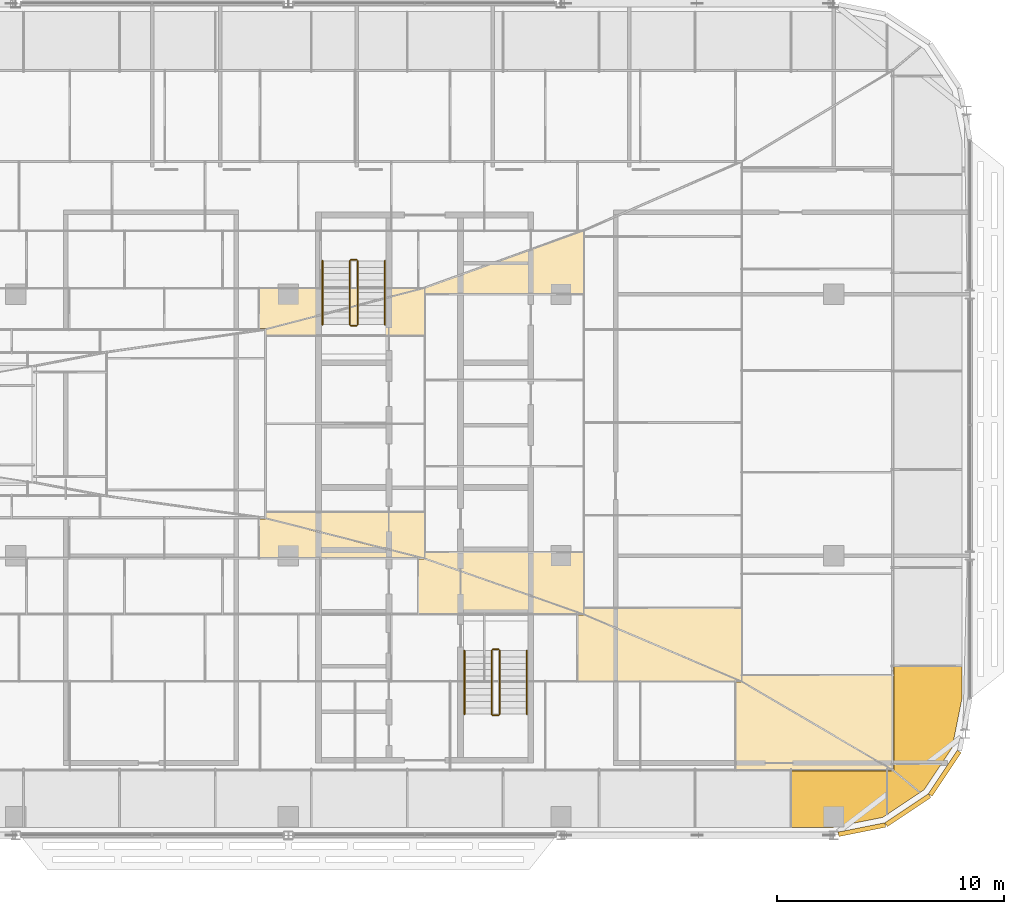
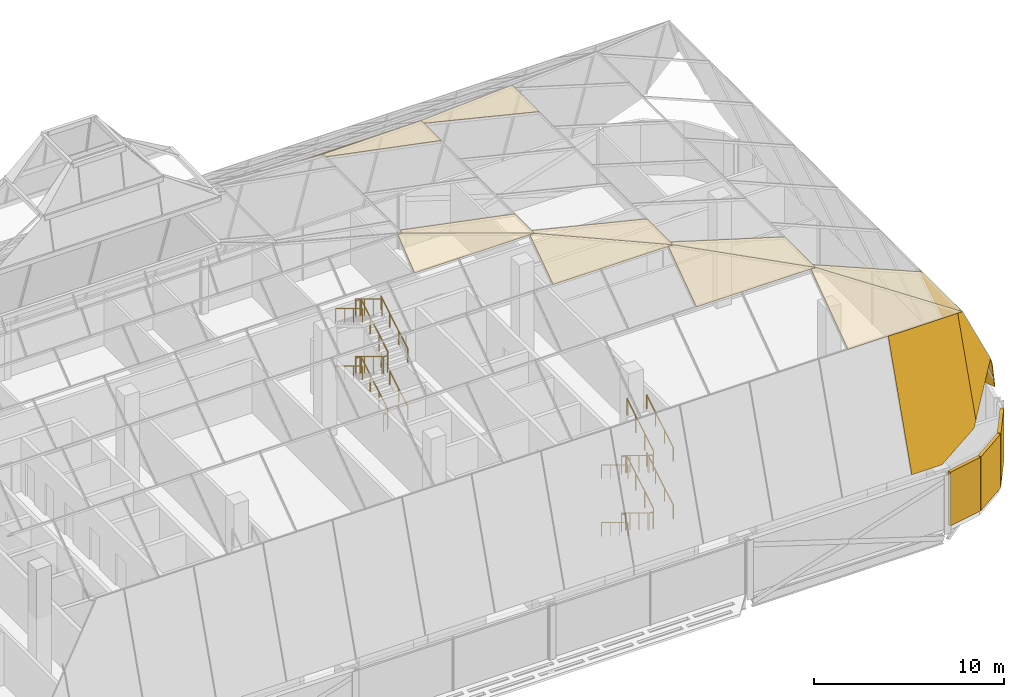
# One storey, part 38 of 39: 24 railings, 18 coverings.
"""IFC4 building model written with IfcOpenShell, lengths in metres."""

from ifc_helpers import new_model, si_unit, direction, frame, origin, origin_2d, place, context, subcontext, project, spatial, polyline, rectangle, circle, outline, extrude, material, layer, layer_set, type_object, element, save


model = new_model("IFC4")

# Units and contexts
model_context = context("Model", 3, precision=1e-05, world=origin(), true_north=direction((0.0, 1.0)))
body_context = subcontext(model_context, "Body", "Model", "MODEL_VIEW")
ifc_project = project(units=[si_unit("LENGTHUNIT", "METRE"), si_unit("AREAUNIT", "SQUARE_METRE"), si_unit("VOLUMEUNIT", "CUBIC_METRE"), si_unit("PLANEANGLEUNIT", "RADIAN"), si_unit("MASSUNIT", "GRAM", prefix="KILO")], contexts=[model_context])

# Site, building, storey
site_placement = place(None, origin())
site = spatial("IfcSite", under=ifc_project, at=site_placement, CompositionType="ELEMENT")
building_placement = place(site_placement, origin())
building = spatial("IfcBuilding", under=site, at=building_placement, Name="Mahtab Terrace Research Tower", CompositionType="ELEMENT")
storey_placement = place(building_placement, frame((0.0, 0.0, 282.300048828125)))
storey = spatial("IfcBuildingStorey", under=building, at=storey_placement, Name="L69", CompositionType="ELEMENT", Elevation=282.300048828125)

# Coverings
ifc_material_1 = material(Name="Black aluminium cladding panel", Category="aluminium")
ifc_layer_1 = layer(ifc_material_1, 0.199951171875)
ifc_layer_set_1 = layer_set([ifc_layer_1], Name="Black metal corner cladding 200")
covering_type_1 = type_object("IfcCoveringType", Name="Black metal corner cladding 200", PredefinedType="CLADDING", material=ifc_layer_set_1)
covering_1_placement = place(storey_placement, frame((43.24658203125, -12.058837890625, 0.0), z_axis=(0.0, 0.0, 1.0), x_axis=(0.980760981187, 0.195212442692, 0.0)))
element("IfcCovering", 1, at=covering_1_placement, inside=storey, type_object=covering_type_1, Name="Corner cladding L69 30", PredefinedType="CLADDING", context=body_context, shape_type="SweptSolid", body=[
    extrude(rectangle(XDim=2.10009765625, YDim=0.199951171875, at=origin_2d()), origin(), (0.0, 0.0, 1.0), 3.4599609375),
])
for number, where, z_axis, x_axis, name in (
    (2, (45.26953125, -11.199951171875, 0.0), (0.0, 0.0, 1.0), (0.831655794326, 0.555291490808, 0.0), "Corner cladding L69 31"),
    (3, (46.89306640625, -9.576416015625, 0.0), (0.0, 0.0, 1.0), (0.555291490808, 0.831655794326, 0.0), "Corner cladding L69 32"),
):
    element("IfcCovering", number, at=place(storey_placement, frame(where, z_axis=z_axis, x_axis=x_axis)), inside=storey, type_object=covering_type_1, Name=name, PredefinedType="CLADDING", context=body_context, shape_type="SweptSolid", body=[
        extrude(rectangle(XDim=2.30126953125, YDim=0.199951171875, at=origin_2d()), origin(), (0.0, 0.0, 1.0), 3.4599609375),
    ])
ifc_material_2 = material(Name="Turquoise ceramic tile cladding", Category="ceramic")
ifc_layer_2 = layer(ifc_material_2, 0.0400390625)
ifc_layer_set_2 = layer_set([ifc_layer_2], Name="Crown hip cladding panel")
covering_type_2 = type_object("IfcCoveringType", Name="Crown hip cladding panel", PredefinedType="CLADDING", material=ifc_layer_set_2)
covering_2_placement = place(storey_placement, frame((44.34814453125, -11.394287109375, 5.479248046875), z_axis=(2.2655272e-05, -0.948208049085, 0.317649956929), x_axis=(-0.429955268716, -0.286799560517, -0.856086723989)))
element("IfcCovering", 4, at=covering_2_placement, inside=storey, type_object=covering_type_2, Name="CWC-S1 hip cladding 22", PredefinedType="CLADDING", context=body_context, shape_type="SweptSolid", body=[
    extrude(outline(polyline([(0.0, 0.0), (0.4389310215243314, 0.0), (2.6233327495091876, -1.3896575962807538), (3.4149081111761967, -3.0518629884096837), (-3.6310272749570216, -6.4072779549376095), (-5.447000455813574, -2.5939702657941943), (0.0, 0.0)])), origin(), (0.0, 0.0, -1.0), 0.0400390625),
])
covering_3_placement = place(storey_placement, frame((45.797119140625, -10.427001953125, 8.367431640625), z_axis=(-9.9487165e-05, -0.948215328167, 0.317628212744), x_axis=(-0.429587108488, -0.286785827346, -0.856276126874)))
element("IfcCovering", 5, at=covering_3_placement, inside=storey, type_object=covering_type_2, Name="CWC-S1 hip cladding 23", PredefinedType="CLADDING", context=body_context, shape_type="SweptSolid", body=[
    extrude(outline(polyline([(0.0, 0.0), (3.372947147885963, -2.220446049250313e-16), (-2.0751105092804956, -2.591749119231688), (-2.2039027380946976, -2.3210178658559286), (0.0, 0.0)])), origin(), (0.0, 0.0, -1.0), 0.0400390625),
])
covering_4_placement = place(storey_placement, frame((37.97705078125, -5.564697265625, 14.0), z_axis=(0.0, -0.581900322077, 0.813260115318), x_axis=(0.811023389188, -0.475768332063, -0.340419676863)))
element("IfcCovering", 6, at=covering_4_placement, inside=storey, type_object=covering_type_2, Name="CWC-S2 hip cladding 20", PredefinedType="CLADDING", context=body_context, shape_type="SweptSolid", body=[
    extrude(outline(polyline([(0.0, 0.0), (8.225284901064642, 2.220446049250313e-16), (2.5716836238452143, -4.078099848991874), (-0.24334661750788622, -0.17553268358529797), (0.0, 0.0)])), origin(), (0.0, 0.0, -1.0), 0.0400390625),
])
covering_5_placement = place(storey_placement, frame((31.020263671875, -2.607666015625, 16.099853515625), z_axis=(0.0, -0.578988154945, 0.81533595311), x_axis=(0.886734502373, -0.376912731803, -0.267654095628)))
element("IfcCovering", 7, at=covering_5_placement, inside=storey, type_object=covering_type_2, Name="CWC-S3 hip cladding 17", PredefinedType="CLADDING", context=body_context, shape_type="SweptSolid", body=[
    extrude(outline(polyline([(0.0, 0.0), (7.845400275685455, -2.220446049250313e-16), (1.410513471845682, -3.3546832407189004), (-0.26606364829494955, -0.13870628794386786), (0.0, 0.0)])), origin(), (0.0, 0.0, -1.0), 0.0400390625),
])
covering_6_placement = place(storey_placement, frame((24.015625, -0.146484375, 17.800048828125), z_axis=(0.0, -0.568373610544, 0.822770587003), x_axis=(0.919650725273, -0.323132653497, -0.22322148586)))
element("IfcCovering", 8, at=covering_6_placement, inside=storey, type_object=covering_type_2, Name="CWC-S4 hip cladding 13", PredefinedType="CLADDING", context=body_context, shape_type="SweptSolid", body=[
    extrude(outline(polyline([(0.0, 0.0), (7.616629313044144, 2.220446049250313e-16), (0.8988681557780978, -2.86882284335994), (-0.27594012240240545, -0.11784035008320075), (0.0, 0.0)])), origin(), (0.0, 0.0, -1.0), 0.0400390625),
])
covering_7_placement = place(storey_placement, frame((17.010986328125, 1.624267578125, 19.199951171875), z_axis=(0.0, -0.620173675122, 0.784464538832), x_axis=(0.951799340201, -0.240612060035, -0.190220536639)))
element("IfcCovering", 9, at=covering_7_placement, inside=storey, type_object=covering_type_2, Name="CWC-S5 hip cladding 10", PredefinedType="CLADDING", context=body_context, shape_type="SweptSolid", body=[
    extrude(outline(polyline([(0.0, 0.0), (7.359364916557646, 0.0), (0.4067681736860843, -2.2405039619844507), (-0.2855862766373379, -0.09203139603204846), (0.0, 0.0)])), origin(), (0.0, 0.0, -1.0), 0.0400390625),
])
covering_8_placement = place(storey_placement, frame((44.64794921875, -9.177978515625, 11.199951171875), z_axis=(0.926652215436, -5.0140299e-05, 0.375919764195), x_axis=(0.375919764668, 1.289e-09, -0.926652216601)))
element("IfcCovering", 10, at=covering_8_placement, inside=storey, type_object=covering_type_2, Name="CWC-E1 hip cladding 1", PredefinedType="CLADDING", context=body_context, shape_type="SweptSolid", body=[
    extrude(outline(polyline([(0.0, 0.0), (5.560227881894428, 4.0657581468206416e-20), (3.5715039619734754, -1.1196289132146209), (3.0567561871836557, -1.2490234358202976), (-3.8681331346103317e-10, -0.3000488277478312), (0.0, 0.0)])), origin(), (0.0, 0.0, -1.0), 0.0400390625),
])
covering_9_placement = place(storey_placement, frame((47.64990234375, -4.851318359375, 3.800048828125), z_axis=(0.926649360142, 2.0780954e-05, 0.375926805264), x_axis=(1.9256658e-05, -0.999999999784, 7.812118e-06)))
element("IfcCovering", 11, at=covering_9_placement, inside=storey, type_object=covering_type_2, Name="CWC-E1 hip cladding 2", PredefinedType="CLADDING", context=body_context, shape_type="SweptSolid", body=[
    extrude(outline(polyline([(0.0, 0.0), (1.4211425778181412, 0.0), (3.6152343773255105, -1.1615610736588855), (4.326660158732546, -2.4254015386892034), (4.326660156639619, -7.985629421509346), (1.3238485112627312e-09, -7.985629421509346), (0.0, 0.0)])), origin(), (0.0, 0.0, -1.0), 0.0400390625),
])
covering_10_placement = place(storey_placement, frame((37.97705078125, -5.564697265625, 14.0), z_axis=(0.387029381179, 0.0, 0.922067382627), x_axis=(0.0, 1.0, 0.0)))
element("IfcCovering", 12, at=covering_10_placement, inside=storey, type_object=covering_type_2, Name="CWC-E2 hip cladding 1", PredefinedType="CLADDING", context=body_context, shape_type="SweptSolid", body=[
    extrude(outline(polyline([(0.0, 0.0), (0.2998046875, 0.0), (0.2998046875, -7.2347190272549025), (-3.913330078125, -7.2347190272549025), (0.0, 0.0)])), origin(), (0.0, 0.0, -1.0), 0.0400390625),
])
covering_11_placement = place(storey_placement, frame((31.020263671875, -2.607666015625, 16.099853515625), z_axis=(0.288965667694, 0.0, 0.957339460638), x_axis=(0.0, 1.0, 0.0)))
element("IfcCovering", 13, at=covering_11_placement, inside=storey, type_object=covering_type_2, Name="CWC-E3 hip cladding 1", PredefinedType="CLADDING", context=body_context, shape_type="SweptSolid", body=[
    extrude(outline(polyline([(0.0, 0.0), (0.300048828125, 0.0), (0.300048828125, -7.266792392262824), (-2.95703125, -7.266792392262824), (0.0, 0.0)])), origin(), (0.0, 0.0, -1.0), 0.0400390625),
])
covering_12_placement = place(storey_placement, frame((24.015625, -0.146484375, 17.800048828125), z_axis=(0.235875329175, 0.0, 0.971783324145), x_axis=(0.0, 1.0, 0.0)))
element("IfcCovering", 14, at=covering_12_placement, inside=storey, type_object=covering_type_2, Name="CWC-E4 hip cladding 1", PredefinedType="CLADDING", context=body_context, shape_type="SweptSolid", body=[
    extrude(outline(polyline([(0.0, 0.0), (0.300048828125, 0.0), (0.300048828125, -7.208025181988041), (-2.461181640625, -7.208025181988041), (0.0, 0.0)])), origin(), (0.0, 0.0, -1.0), 0.0400390625),
])
covering_13_placement = place(storey_placement, frame((24.015625, 11.81298828125, 17.800048828125), z_axis=(0.235875329175, 0.0, 0.971783324145), x_axis=(0.916909927481, 0.331277693642, -0.22255622791)))
element("IfcCovering", 15, at=covering_13_placement, inside=storey, type_object=covering_type_2, Name="CWC-E4 hip cladding 5", PredefinedType="CLADDING", context=body_context, shape_type="SweptSolid", body=[
    extrude(outline(polyline([(0.0, 0.0), (7.63939669746664, 2.7755575615628914e-17), (6.701612308361574, -2.6709640191978585), (-0.09939948376111468, -0.2831060611982896), (0.0, 0.0)])), origin(), (0.0, 0.0, -1.0), 0.0400390625),
])
covering_14_placement = place(storey_placement, frame((17.010986328125, 1.624267578125, 19.199951171875), z_axis=(0.195978105633, 0.0, 0.980608271489), x_axis=(0.0, 1.0, 0.0)))
element("IfcCovering", 16, at=covering_14_placement, inside=storey, type_object=covering_type_2, Name="CWC-E5 hip cladding 1", PredefinedType="CLADDING", context=body_context, shape_type="SweptSolid", body=[
    extrude(outline(polyline([(0.0, 0.0), (0.300048828125, 0.0), (0.300048828125, -7.143156829831156), (-1.770751953125, -7.143156829831156), (0.0, 0.0)])), origin(), (0.0, 0.0, -1.0), 0.0400390625),
])
covering_15_placement = place(storey_placement, frame((17.010986328125, 9.9921875, 19.199951171875), z_axis=(0.195978105633, 0.0, 0.980608271489), x_axis=(0.950223792737, 0.247003208192, -0.189905657787)))
element("IfcCovering", 17, at=covering_15_placement, inside=storey, type_object=covering_type_2, Name="CWC-E5 hip cladding 4", PredefinedType="CLADDING", context=body_context, shape_type="SweptSolid", body=[
    extrude(outline(polyline([(0.0, 0.0), (7.371567335415455, 4.163336342344337e-16), (6.84771067780736, -2.055134367350652), (-0.0741130231610855, -0.29075171376470027), (0.0, 0.0)])), origin(), (0.0, 0.0, -1.0), 0.0400390625),
])
covering_16_placement = place(storey_placement, frame((24.015625, 11.81298828125, 17.800048828125), z_axis=(0.0, 0.609515532495, 0.7927741265), x_axis=(-0.950223792737, -0.247003208192, 0.189905657787)))
element("IfcCovering", 18, at=covering_16_placement, inside=storey, type_object=covering_type_2, Name="CWC-N5 hip cladding 10", PredefinedType="CLADDING", context=body_context, shape_type="SweptSolid", body=[
    extrude(outline(polyline([(0.0, 0.0), (7.371567335415455, 4.440892098500626e-16), (7.656680870882699, -0.09348567351500714), (6.941087861008897, -2.275908341390574), (0.0, 0.0)])), origin(), (0.0, 0.0, -1.0), 0.0400390625),
])

# Railings
ifc_material_3 = material(Name="Stainless steel AISI 304", Category="steel")
railing_type_1 = type_object("IfcRailingType", Name="Stair guard 1100", PredefinedType="GUARDRAIL", material=ifc_material_3)
railing_1_placement = place(storey_placement, frame((21.050048828125, 10.175048828125, 0.168212890625)))
element("IfcRailing", 19, at=railing_1_placement, inside=storey, type_object=railing_type_1, Name="L69 ST3 stair guard 1", PredefinedType="GUARDRAIL", context=body_context, shape_type="SweptSolid", body=[
    extrude(circle(Radius=0.02392578125, at=origin_2d()), frame((0.0, 0.0, 1.076171875), z_axis=(0.0, 0.857275202839, 0.514858452973), x_axis=(-1.0, 0.0, 0.0)), (0.0, 0.0, 1.0), 3.26611328125),
    extrude(circle(Radius=0.02099609375, at=origin_2d()), origin(), (0.0, 0.0, 1.0), 1.052001953125),
    extrude(circle(Radius=0.02099609375, at=origin_2d()), frame((0.0, 0.933349609375, 0.560546875)), (0.0, 0.0, 1.0), 1.052001953125),
    extrude(circle(Radius=0.02099609375, at=origin_2d()), frame((0.0, 1.86669921875, 1.12109375)), (0.0, 0.0, 1.0), 1.052001953125),
    extrude(circle(Radius=0.02099609375, at=origin_2d()), frame((0.0, 2.800048828125, 1.681640625)), (0.0, 0.0, 1.0), 1.052001953125),
])
railing_2_placement = place(storey_placement, frame((21.0, 13.02490234375, 1.849853515625)))
element("IfcRailing", 20, at=railing_2_placement, inside=storey, type_object=railing_type_1, Name="L69 ST3 stair guard 2", PredefinedType="GUARDRAIL", context=body_context, shape_type="SweptSolid", body=[
    extrude(circle(Radius=0.02392578125, at=origin_2d()), frame((0.0, 0.0, 1.076171875), z_axis=(-1.0, 0.0, 0.0), x_axis=(0.0, -1.0, 0.0)), (0.0, 0.0, 1.0), 0.25),
    extrude(circle(Radius=0.02099609375, at=origin_2d()), origin(), (0.0, 0.0, 1.0), 1.052001953125),
    extrude(circle(Radius=0.02099609375, at=origin_2d()), frame((-0.25, 0.0, 0.0)), (0.0, 0.0, 1.0), 1.052001953125),
])
railing_3_placement = place(storey_placement, frame((20.699951171875, 12.97509765625, 2.01806640625)))
element("IfcRailing", 21, at=railing_3_placement, inside=storey, type_object=railing_type_1, Name="L69 ST3 stair guard 3", PredefinedType="GUARDRAIL", context=body_context, shape_type="SweptSolid", body=[
    extrude(circle(Radius=0.02392578125, at=origin_2d()), frame((0.0, 0.0, 1.076171875), z_axis=(0.0, -0.857242210791, 0.514913383045), x_axis=(1.0, 0.0, 0.0)), (0.0, 0.0, 1.0), 3.266357421875),
    extrude(circle(Radius=0.02099609375, at=origin_2d()), origin(), (0.0, 0.0, 1.0), 1.052001953125),
    extrude(circle(Radius=0.02099609375, at=origin_2d()), frame((0.0, -0.933349609375, 0.560546875)), (0.0, 0.0, 1.0), 1.052001953125),
    extrude(circle(Radius=0.02099609375, at=origin_2d()), frame((0.0, -1.86669921875, 1.121337890625)), (0.0, 0.0, 1.0), 1.052001953125),
    extrude(circle(Radius=0.02099609375, at=origin_2d()), frame((0.0, -2.800048828125, 1.681884765625)), (0.0, 0.0, 1.0), 1.052001953125),
])
railing_4_placement = place(storey_placement, frame((21.0, 10.125, 3.699951171875)))
element("IfcRailing", 22, at=railing_4_placement, inside=storey, type_object=railing_type_1, Name="L69 ST3 stair guard 4", PredefinedType="GUARDRAIL", context=body_context, shape_type="SweptSolid", body=[
    extrude(circle(Radius=0.02392578125, at=origin_2d()), frame((0.0, 0.0, 1.076171875), z_axis=(-1.0, 0.0, 0.0), x_axis=(0.0, -1.0, 0.0)), (0.0, 0.0, 1.0), 0.25),
    extrude(circle(Radius=0.02099609375, at=origin_2d()), origin(), (0.0, 0.0, 1.0), 1.052001953125),
    extrude(circle(Radius=0.02099609375, at=origin_2d()), frame((-0.25, 0.0, 0.0)), (0.0, 0.0, 1.0), 1.052001953125),
])
railing_5_placement = place(storey_placement, frame((21.050048828125, 10.175048828125, 3.8681640625)))
element("IfcRailing", 23, at=railing_5_placement, inside=storey, type_object=railing_type_1, Name="L69 ST3 stair guard 5", PredefinedType="GUARDRAIL", context=body_context, shape_type="SweptSolid", body=[
    extrude(circle(Radius=0.02392578125, at=origin_2d()), frame((0.0, 0.0, 1.076171875), z_axis=(0.0, 0.857242210791, 0.514913383045), x_axis=(-1.0, 0.0, 0.0)), (0.0, 0.0, 1.0), 3.266357421875),
    extrude(circle(Radius=0.02099609375, at=origin_2d()), origin(), (0.0, 0.0, 1.0), 1.052001953125),
    extrude(circle(Radius=0.02099609375, at=origin_2d()), frame((0.0, 0.933349609375, 0.560546875)), (0.0, 0.0, 1.0), 1.052001953125),
    extrude(circle(Radius=0.02099609375, at=origin_2d()), frame((0.0, 1.86669921875, 1.121337890625)), (0.0, 0.0, 1.0), 1.052001953125),
    extrude(circle(Radius=0.02099609375, at=origin_2d()), frame((0.0, 2.800048828125, 1.681884765625)), (0.0, 0.0, 1.0), 1.052001953125),
])
railing_6_placement = place(storey_placement, frame((21.0, 13.02490234375, 5.550048828125)))
element("IfcRailing", 24, at=railing_6_placement, inside=storey, type_object=railing_type_1, Name="L69 ST3 stair guard 6", PredefinedType="GUARDRAIL", context=body_context, shape_type="SweptSolid", body=[
    extrude(circle(Radius=0.02392578125, at=origin_2d()), frame((0.0, 0.0, 1.076171875), z_axis=(-1.0, 0.0, 0.0), x_axis=(0.0, -1.0, 0.0)), (0.0, 0.0, 1.0), 0.25),
    extrude(circle(Radius=0.02099609375, at=origin_2d()), origin(), (0.0, 0.0, 1.0), 1.052001953125),
    extrude(circle(Radius=0.02099609375, at=origin_2d()), frame((-0.25, 0.0, 0.0)), (0.0, 0.0, 1.0), 1.052001953125),
])
railing_7_placement = place(storey_placement, frame((20.699951171875, 12.97509765625, 5.718017578125)))
element("IfcRailing", 25, at=railing_7_placement, inside=storey, type_object=railing_type_1, Name="L69 ST3 stair guard 7", PredefinedType="GUARDRAIL", context=body_context, shape_type="SweptSolid", body=[
    extrude(circle(Radius=0.02392578125, at=origin_2d()), frame((0.0, 0.0, 1.076171875), z_axis=(0.0, -0.857242210791, 0.514913383045), x_axis=(1.0, 0.0, 0.0)), (0.0, 0.0, 1.0), 3.266357421875),
    extrude(circle(Radius=0.02099609375, at=origin_2d()), origin(), (0.0, 0.0, 1.0), 1.052001953125),
    extrude(circle(Radius=0.02099609375, at=origin_2d()), frame((0.0, -0.933349609375, 0.560546875)), (0.0, 0.0, 1.0), 1.052001953125),
    extrude(circle(Radius=0.02099609375, at=origin_2d()), frame((0.0, -1.86669921875, 1.121337890625)), (0.0, 0.0, 1.0), 1.052001953125),
    extrude(circle(Radius=0.02099609375, at=origin_2d()), frame((0.0, -2.800048828125, 1.681884765625)), (0.0, 0.0, 1.0), 1.052001953125),
])
railing_8_placement = place(storey_placement, frame((21.0, 10.125, 0.0)))
element("IfcRailing", 26, at=railing_8_placement, inside=storey, type_object=railing_type_1, Name="L69 ST3 stair guard 8", PredefinedType="GUARDRAIL", context=body_context, shape_type="SweptSolid", body=[
    extrude(circle(Radius=0.02392578125, at=origin_2d()), frame((0.0, 0.0, 1.076171875), z_axis=(-1.0, 0.0, 0.0), x_axis=(0.0, -1.0, 0.0)), (0.0, 0.0, 1.0), 0.25),
    extrude(circle(Radius=0.02099609375, at=origin_2d()), origin(), (0.0, 0.0, 1.0), 1.052001953125),
    extrude(circle(Radius=0.02099609375, at=origin_2d()), frame((-0.25, 0.0, 0.0)), (0.0, 0.0, 1.0), 1.052001953125),
])
railing_9_placement = place(storey_placement, frame((26.949951171875, -4.175048828125, 0.168212890625)))
element("IfcRailing", 27, at=railing_9_placement, inside=storey, type_object=railing_type_1, Name="L69 ST4 stair guard 1", PredefinedType="GUARDRAIL", context=body_context, shape_type="SweptSolid", body=[
    extrude(circle(Radius=0.02392578125, at=origin_2d()), frame((0.0, 0.0, 1.076171875), z_axis=(0.0, -0.857275202839, 0.514858452973), x_axis=(1.0, 0.0, 0.0)), (0.0, 0.0, 1.0), 3.26611328125),
    extrude(circle(Radius=0.02099609375, at=origin_2d()), origin(), (0.0, 0.0, 1.0), 1.052001953125),
    extrude(circle(Radius=0.02099609375, at=origin_2d()), frame((0.0, -0.933349609375, 0.560546875)), (0.0, 0.0, 1.0), 1.052001953125),
    extrude(circle(Radius=0.02099609375, at=origin_2d()), frame((0.0, -1.86669921875, 1.12109375)), (0.0, 0.0, 1.0), 1.052001953125),
    extrude(circle(Radius=0.02099609375, at=origin_2d()), frame((0.0, -2.800048828125, 1.681640625)), (0.0, 0.0, 1.0), 1.052001953125),
])
railing_10_placement = place(storey_placement, frame((27.0, -7.02490234375, 1.849853515625)))
element("IfcRailing", 28, at=railing_10_placement, inside=storey, type_object=railing_type_1, Name="L69 ST4 stair guard 2", PredefinedType="GUARDRAIL", context=body_context, shape_type="SweptSolid", body=[
    extrude(circle(Radius=0.02392578125, at=origin_2d()), frame((0.0, 0.0, 1.076171875), z_axis=(1.0, 0.0, 0.0), x_axis=(0.0, 1.0, 0.0)), (0.0, 0.0, 1.0), 0.25),
    extrude(circle(Radius=0.02099609375, at=origin_2d()), origin(), (0.0, 0.0, 1.0), 1.052001953125),
    extrude(circle(Radius=0.02099609375, at=origin_2d()), frame((0.25, 0.0, 0.0)), (0.0, 0.0, 1.0), 1.052001953125),
])
railing_11_placement = place(storey_placement, frame((27.300048828125, -6.97509765625, 2.01806640625)))
element("IfcRailing", 29, at=railing_11_placement, inside=storey, type_object=railing_type_1, Name="L69 ST4 stair guard 3", PredefinedType="GUARDRAIL", context=body_context, shape_type="SweptSolid", body=[
    extrude(circle(Radius=0.02392578125, at=origin_2d()), frame((0.0, 0.0, 1.076171875), z_axis=(0.0, 0.857242210791, 0.514913383045), x_axis=(-1.0, 0.0, 0.0)), (0.0, 0.0, 1.0), 3.266357421875),
    extrude(circle(Radius=0.02099609375, at=origin_2d()), origin(), (0.0, 0.0, 1.0), 1.052001953125),
    extrude(circle(Radius=0.02099609375, at=origin_2d()), frame((0.0, 0.933349609375, 0.560546875)), (0.0, 0.0, 1.0), 1.052001953125),
    extrude(circle(Radius=0.02099609375, at=origin_2d()), frame((0.0, 1.86669921875, 1.121337890625)), (0.0, 0.0, 1.0), 1.052001953125),
    extrude(circle(Radius=0.02099609375, at=origin_2d()), frame((0.0, 2.800048828125, 1.681884765625)), (0.0, 0.0, 1.0), 1.052001953125),
])
railing_12_placement = place(storey_placement, frame((27.0, -4.125, 3.699951171875)))
element("IfcRailing", 30, at=railing_12_placement, inside=storey, type_object=railing_type_1, Name="L69 ST4 stair guard 4", PredefinedType="GUARDRAIL", context=body_context, shape_type="SweptSolid", body=[
    extrude(circle(Radius=0.02392578125, at=origin_2d()), frame((0.0, 0.0, 1.076171875), z_axis=(1.0, 0.0, 0.0), x_axis=(0.0, 1.0, 0.0)), (0.0, 0.0, 1.0), 0.25),
    extrude(circle(Radius=0.02099609375, at=origin_2d()), origin(), (0.0, 0.0, 1.0), 1.052001953125),
    extrude(circle(Radius=0.02099609375, at=origin_2d()), frame((0.25, 0.0, 0.0)), (0.0, 0.0, 1.0), 1.052001953125),
])
railing_13_placement = place(storey_placement, frame((26.949951171875, -4.175048828125, 3.8681640625)))
element("IfcRailing", 31, at=railing_13_placement, inside=storey, type_object=railing_type_1, Name="L69 ST4 stair guard 5", PredefinedType="GUARDRAIL", context=body_context, shape_type="SweptSolid", body=[
    extrude(circle(Radius=0.02392578125, at=origin_2d()), frame((0.0, 0.0, 1.076171875), z_axis=(0.0, -0.857242210791, 0.514913383045), x_axis=(1.0, 0.0, 0.0)), (0.0, 0.0, 1.0), 3.266357421875),
    extrude(circle(Radius=0.02099609375, at=origin_2d()), origin(), (0.0, 0.0, 1.0), 1.052001953125),
    extrude(circle(Radius=0.02099609375, at=origin_2d()), frame((0.0, -0.933349609375, 0.560546875)), (0.0, 0.0, 1.0), 1.052001953125),
    extrude(circle(Radius=0.02099609375, at=origin_2d()), frame((0.0, -1.86669921875, 1.121337890625)), (0.0, 0.0, 1.0), 1.052001953125),
    extrude(circle(Radius=0.02099609375, at=origin_2d()), frame((0.0, -2.800048828125, 1.681884765625)), (0.0, 0.0, 1.0), 1.052001953125),
])
railing_14_placement = place(storey_placement, frame((27.0, -7.02490234375, 5.550048828125)))
element("IfcRailing", 32, at=railing_14_placement, inside=storey, type_object=railing_type_1, Name="L69 ST4 stair guard 6", PredefinedType="GUARDRAIL", context=body_context, shape_type="SweptSolid", body=[
    extrude(circle(Radius=0.02392578125, at=origin_2d()), frame((0.0, 0.0, 1.076171875), z_axis=(1.0, 0.0, 0.0), x_axis=(0.0, 1.0, 0.0)), (0.0, 0.0, 1.0), 0.25),
    extrude(circle(Radius=0.02099609375, at=origin_2d()), origin(), (0.0, 0.0, 1.0), 1.052001953125),
    extrude(circle(Radius=0.02099609375, at=origin_2d()), frame((0.25, 0.0, 0.0)), (0.0, 0.0, 1.0), 1.052001953125),
])
railing_15_placement = place(storey_placement, frame((27.300048828125, -6.97509765625, 5.718017578125)))
element("IfcRailing", 33, at=railing_15_placement, inside=storey, type_object=railing_type_1, Name="L69 ST4 stair guard 7", PredefinedType="GUARDRAIL", context=body_context, shape_type="SweptSolid", body=[
    extrude(circle(Radius=0.02392578125, at=origin_2d()), frame((0.0, 0.0, 1.076171875), z_axis=(0.0, 0.857242210791, 0.514913383045), x_axis=(-1.0, 0.0, 0.0)), (0.0, 0.0, 1.0), 3.266357421875),
    extrude(circle(Radius=0.02099609375, at=origin_2d()), origin(), (0.0, 0.0, 1.0), 1.052001953125),
    extrude(circle(Radius=0.02099609375, at=origin_2d()), frame((0.0, 0.933349609375, 0.560546875)), (0.0, 0.0, 1.0), 1.052001953125),
    extrude(circle(Radius=0.02099609375, at=origin_2d()), frame((0.0, 1.86669921875, 1.121337890625)), (0.0, 0.0, 1.0), 1.052001953125),
    extrude(circle(Radius=0.02099609375, at=origin_2d()), frame((0.0, 2.800048828125, 1.681884765625)), (0.0, 0.0, 1.0), 1.052001953125),
])
railing_16_placement = place(storey_placement, frame((27.0, -4.125, 0.0)))
element("IfcRailing", 34, at=railing_16_placement, inside=storey, type_object=railing_type_1, Name="L69 ST4 stair guard 8", PredefinedType="GUARDRAIL", context=body_context, shape_type="SweptSolid", body=[
    extrude(circle(Radius=0.02392578125, at=origin_2d()), frame((0.0, 0.0, 1.076171875), z_axis=(1.0, 0.0, 0.0), x_axis=(0.0, 1.0, 0.0)), (0.0, 0.0, 1.0), 0.25),
    extrude(circle(Radius=0.02099609375, at=origin_2d()), origin(), (0.0, 0.0, 1.0), 1.052001953125),
    extrude(circle(Radius=0.02099609375, at=origin_2d()), frame((0.25, 0.0, 0.0)), (0.0, 0.0, 1.0), 1.052001953125),
])
railing_type_2 = type_object("IfcRailingType", Name="Stair handrail 900", PredefinedType="HANDRAIL", material=ifc_material_3)
railing_17_placement = place(storey_placement, frame((22.25, 10.175048828125, 0.168212890625)))
element("IfcRailing", 35, at=railing_17_placement, inside=storey, type_object=railing_type_2, Name="L69 ST3 stair handrail 1", PredefinedType="HANDRAIL", context=body_context, shape_type="SweptSolid", body=[
    extrude(circle(Radius=0.02392578125, at=origin_2d()), frame((0.0, 0.0, 0.8759765625), z_axis=(0.0, 0.857275202839, 0.514858452973), x_axis=(-1.0, 0.0, 0.0)), (0.0, 0.0, 1.0), 3.26611328125),
    extrude(circle(Radius=0.02099609375, at=origin_2d()), origin(), (0.0, 0.0, 1.0), 0.851806640625),
    extrude(circle(Radius=0.02099609375, at=origin_2d()), frame((0.0, 0.933349609375, 0.560546875)), (0.0, 0.0, 1.0), 0.851806640625),
    extrude(circle(Radius=0.02099609375, at=origin_2d()), frame((0.0, 1.86669921875, 1.12109375)), (0.0, 0.0, 1.0), 0.851806640625),
    extrude(circle(Radius=0.02099609375, at=origin_2d()), frame((0.0, 2.800048828125, 1.681640625)), (0.0, 0.0, 1.0), 0.851806640625),
])
railing_18_placement = place(storey_placement, frame((19.5, 12.97509765625, 2.01806640625)))
element("IfcRailing", 36, at=railing_18_placement, inside=storey, type_object=railing_type_2, Name="L69 ST3 stair handrail 2", PredefinedType="HANDRAIL", context=body_context, shape_type="SweptSolid", body=[
    extrude(circle(Radius=0.02392578125, at=origin_2d()), frame((0.0, 0.0, 0.8759765625), z_axis=(0.0, -0.857242210791, 0.514913383045), x_axis=(1.0, 0.0, 0.0)), (0.0, 0.0, 1.0), 3.266357421875),
    extrude(circle(Radius=0.02099609375, at=origin_2d()), origin(), (0.0, 0.0, 1.0), 0.851806640625),
    extrude(circle(Radius=0.02099609375, at=origin_2d()), frame((0.0, -0.933349609375, 0.560546875)), (0.0, 0.0, 1.0), 0.851806640625),
    extrude(circle(Radius=0.02099609375, at=origin_2d()), frame((0.0, -1.86669921875, 1.121337890625)), (0.0, 0.0, 1.0), 0.851806640625),
    extrude(circle(Radius=0.02099609375, at=origin_2d()), frame((0.0, -2.800048828125, 1.681884765625)), (0.0, 0.0, 1.0), 0.851806640625),
])
railing_19_placement = place(storey_placement, frame((22.25, 10.175048828125, 3.8681640625)))
element("IfcRailing", 37, at=railing_19_placement, inside=storey, type_object=railing_type_2, Name="L69 ST3 stair handrail 3", PredefinedType="HANDRAIL", context=body_context, shape_type="SweptSolid", body=[
    extrude(circle(Radius=0.02392578125, at=origin_2d()), frame((0.0, 0.0, 0.8759765625), z_axis=(0.0, 0.857242210791, 0.514913383045), x_axis=(-1.0, 0.0, 0.0)), (0.0, 0.0, 1.0), 3.266357421875),
    extrude(circle(Radius=0.02099609375, at=origin_2d()), origin(), (0.0, 0.0, 1.0), 0.851806640625),
    extrude(circle(Radius=0.02099609375, at=origin_2d()), frame((0.0, 0.933349609375, 0.560546875)), (0.0, 0.0, 1.0), 0.851806640625),
    extrude(circle(Radius=0.02099609375, at=origin_2d()), frame((0.0, 1.86669921875, 1.121337890625)), (0.0, 0.0, 1.0), 0.851806640625),
    extrude(circle(Radius=0.02099609375, at=origin_2d()), frame((0.0, 2.800048828125, 1.681884765625)), (0.0, 0.0, 1.0), 0.851806640625),
])
railing_20_placement = place(storey_placement, frame((19.5, 12.97509765625, 5.718017578125)))
element("IfcRailing", 38, at=railing_20_placement, inside=storey, type_object=railing_type_2, Name="L69 ST3 stair handrail 4", PredefinedType="HANDRAIL", context=body_context, shape_type="SweptSolid", body=[
    extrude(circle(Radius=0.02392578125, at=origin_2d()), frame((0.0, 0.0, 0.8759765625), z_axis=(0.0, -0.857242210791, 0.514913383045), x_axis=(1.0, 0.0, 0.0)), (0.0, 0.0, 1.0), 3.266357421875),
    extrude(circle(Radius=0.02099609375, at=origin_2d()), origin(), (0.0, 0.0, 1.0), 0.851806640625),
    extrude(circle(Radius=0.02099609375, at=origin_2d()), frame((0.0, -0.933349609375, 0.560546875)), (0.0, 0.0, 1.0), 0.851806640625),
    extrude(circle(Radius=0.02099609375, at=origin_2d()), frame((0.0, -1.86669921875, 1.121337890625)), (0.0, 0.0, 1.0), 0.851806640625),
    extrude(circle(Radius=0.02099609375, at=origin_2d()), frame((0.0, -2.800048828125, 1.681884765625)), (0.0, 0.0, 1.0), 0.851806640625),
])
railing_21_placement = place(storey_placement, frame((25.75, -4.175048828125, 0.168212890625)))
element("IfcRailing", 39, at=railing_21_placement, inside=storey, type_object=railing_type_2, Name="L69 ST4 stair handrail 1", PredefinedType="HANDRAIL", context=body_context, shape_type="SweptSolid", body=[
    extrude(circle(Radius=0.02392578125, at=origin_2d()), frame((0.0, 0.0, 0.8759765625), z_axis=(0.0, -0.857275202839, 0.514858452973), x_axis=(1.0, 0.0, 0.0)), (0.0, 0.0, 1.0), 3.26611328125),
    extrude(circle(Radius=0.02099609375, at=origin_2d()), origin(), (0.0, 0.0, 1.0), 0.851806640625),
    extrude(circle(Radius=0.02099609375, at=origin_2d()), frame((0.0, -0.933349609375, 0.560546875)), (0.0, 0.0, 1.0), 0.851806640625),
    extrude(circle(Radius=0.02099609375, at=origin_2d()), frame((0.0, -1.86669921875, 1.12109375)), (0.0, 0.0, 1.0), 0.851806640625),
    extrude(circle(Radius=0.02099609375, at=origin_2d()), frame((0.0, -2.800048828125, 1.681640625)), (0.0, 0.0, 1.0), 0.851806640625),
])
railing_22_placement = place(storey_placement, frame((28.5, -6.97509765625, 2.01806640625)))
element("IfcRailing", 40, at=railing_22_placement, inside=storey, type_object=railing_type_2, Name="L69 ST4 stair handrail 2", PredefinedType="HANDRAIL", context=body_context, shape_type="SweptSolid", body=[
    extrude(circle(Radius=0.02392578125, at=origin_2d()), frame((0.0, 0.0, 0.8759765625), z_axis=(0.0, 0.857242210791, 0.514913383045), x_axis=(-1.0, 0.0, 0.0)), (0.0, 0.0, 1.0), 3.266357421875),
    extrude(circle(Radius=0.02099609375, at=origin_2d()), origin(), (0.0, 0.0, 1.0), 0.851806640625),
    extrude(circle(Radius=0.02099609375, at=origin_2d()), frame((0.0, 0.933349609375, 0.560546875)), (0.0, 0.0, 1.0), 0.851806640625),
    extrude(circle(Radius=0.02099609375, at=origin_2d()), frame((0.0, 1.86669921875, 1.121337890625)), (0.0, 0.0, 1.0), 0.851806640625),
    extrude(circle(Radius=0.02099609375, at=origin_2d()), frame((0.0, 2.800048828125, 1.681884765625)), (0.0, 0.0, 1.0), 0.851806640625),
])
railing_23_placement = place(storey_placement, frame((25.75, -4.175048828125, 3.8681640625)))
element("IfcRailing", 41, at=railing_23_placement, inside=storey, type_object=railing_type_2, Name="L69 ST4 stair handrail 3", PredefinedType="HANDRAIL", context=body_context, shape_type="SweptSolid", body=[
    extrude(circle(Radius=0.02392578125, at=origin_2d()), frame((0.0, 0.0, 0.8759765625), z_axis=(0.0, -0.857242210791, 0.514913383045), x_axis=(1.0, 0.0, 0.0)), (0.0, 0.0, 1.0), 3.266357421875),
    extrude(circle(Radius=0.02099609375, at=origin_2d()), origin(), (0.0, 0.0, 1.0), 0.851806640625),
    extrude(circle(Radius=0.02099609375, at=origin_2d()), frame((0.0, -0.933349609375, 0.560546875)), (0.0, 0.0, 1.0), 0.851806640625),
    extrude(circle(Radius=0.02099609375, at=origin_2d()), frame((0.0, -1.86669921875, 1.121337890625)), (0.0, 0.0, 1.0), 0.851806640625),
    extrude(circle(Radius=0.02099609375, at=origin_2d()), frame((0.0, -2.800048828125, 1.681884765625)), (0.0, 0.0, 1.0), 0.851806640625),
])
railing_24_placement = place(storey_placement, frame((28.5, -6.97509765625, 5.718017578125)))
element("IfcRailing", 42, at=railing_24_placement, inside=storey, type_object=railing_type_2, Name="L69 ST4 stair handrail 4", PredefinedType="HANDRAIL", context=body_context, shape_type="SweptSolid", body=[
    extrude(circle(Radius=0.02392578125, at=origin_2d()), frame((0.0, 0.0, 0.8759765625), z_axis=(0.0, 0.857242210791, 0.514913383045), x_axis=(-1.0, 0.0, 0.0)), (0.0, 0.0, 1.0), 3.266357421875),
    extrude(circle(Radius=0.02099609375, at=origin_2d()), origin(), (0.0, 0.0, 1.0), 0.851806640625),
    extrude(circle(Radius=0.02099609375, at=origin_2d()), frame((0.0, 0.933349609375, 0.560546875)), (0.0, 0.0, 1.0), 0.851806640625),
    extrude(circle(Radius=0.02099609375, at=origin_2d()), frame((0.0, 1.86669921875, 1.121337890625)), (0.0, 0.0, 1.0), 0.851806640625),
    extrude(circle(Radius=0.02099609375, at=origin_2d()), frame((0.0, 2.800048828125, 1.681884765625)), (0.0, 0.0, 1.0), 0.851806640625),
])

save(model, "model.ifc")
